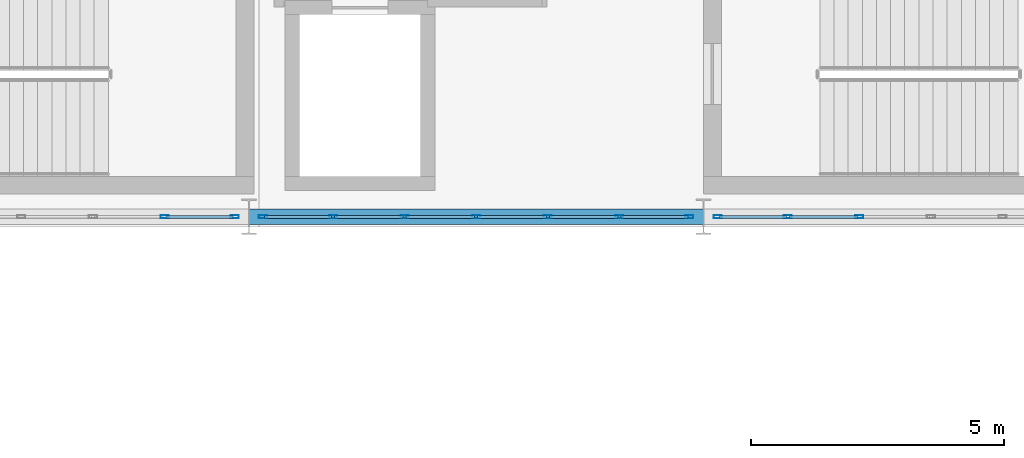
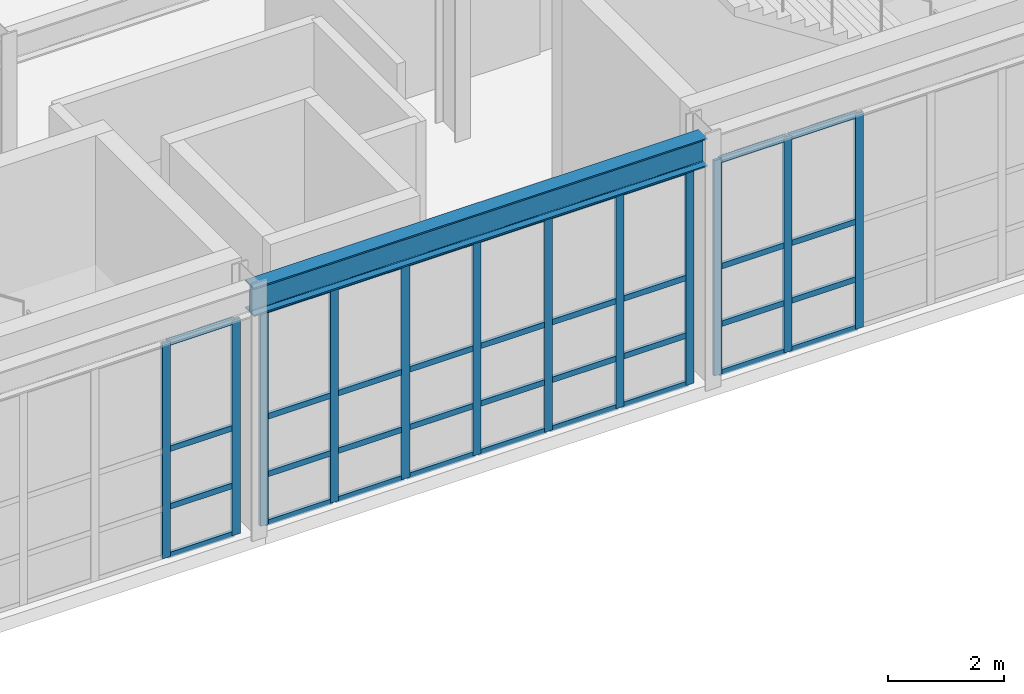
# One storey, part 58 of 210: 48 members, 1 beam, 3 elements without a shape of their own.
"""IFC4 building model written with IfcOpenShell, lengths in metres."""

from ifc_helpers import new_model, si_unit, direction, frame, origin, origin_2d, place, context, subcontext, project, spatial, hollow_rectangle, i_section, extrude, material, material_profile, profile_set, type_object, element, aggregate, save


model = new_model("IFC4")

# Units and contexts
model_context = context("Model", 3, precision=1e-05, world=origin(), true_north=direction((0.0, 1.0)))
body_context = subcontext(model_context, "Body", "Model", "MODEL_VIEW")
ifc_project = project(units=[si_unit("LENGTHUNIT", "METRE"), si_unit("AREAUNIT", "SQUARE_METRE"), si_unit("VOLUMEUNIT", "CUBIC_METRE"), si_unit("PLANEANGLEUNIT", "RADIAN"), si_unit("MASSUNIT", "GRAM", prefix="KILO")], contexts=[model_context])

# Site, building, storey
site_placement = place(None, origin())
site = spatial("IfcSite", under=ifc_project, at=site_placement, CompositionType="ELEMENT")
building_placement = place(site_placement, origin())
building = spatial("IfcBuilding", under=site, at=building_placement, Name="Kaldris Quays Convention Centre", CompositionType="ELEMENT")
storey_placement = place(building_placement, frame((0.0, 0.0, 6.0)))
storey = spatial("IfcBuildingStorey", under=building, at=storey_placement, Name="L01", CompositionType="ELEMENT", Elevation=6.0)

# Curtain wall, members
ifc_material_1 = material(Name="Anodized aluminium AW-6060 and triple glazing", Category="aluminium")
curtain_wall_type = type_object("IfcCurtainWallType", Name="UNITISED CURTAIN WALL CW04", PredefinedType="NOTDEFINED", material=ifc_material_1)
curtain_wall_1_placement = place(storey_placement, origin())
curtain_wall_1 = element("IfcCurtainWall", 1, at=curtain_wall_1_placement, inside=storey, type_object=curtain_wall_type, Name="L01 Unitised Curtain Wall CW04 108", PredefinedType="NOTDEFINED")
ifc_material_2 = material(Name="Anodized aluminium AW-6060", Category="aluminium")
ifc_material_profile_1 = material_profile(ifc_material_2, hollow_rectangle(XDim=0.06005859375, YDim=0.159912109375, WallThickness=0.00390625, at=origin_2d()), Name="RHS 160x60x4")
ifc_profile_set_1 = profile_set([ifc_material_profile_1], Name="Anodized aluminium AW-6060")
member_type_1 = type_object("IfcMemberType", Name="CURTAIN MULLION CWM1", PredefinedType="MULLION", material=ifc_profile_set_1)
member_1_placement = place(storey_placement, frame((99.333251953125, 38.0, 0.0), z_axis=(0.0, 0.0, 1.0), x_axis=(0.0, 1.0, 0.0)))
member_1 = element("IfcMember", 2, at=member_1_placement, type_object=member_type_1, Name="CW04 mullion 6", PredefinedType="MULLION", context=body_context, shape_type="SweptSolid", body=[
    extrude(hollow_rectangle(XDim=0.06005859375, YDim=0.159912109375, WallThickness=0.00390625, at=origin_2d()), origin(), (0.0, 0.0, 1.0), 4.51806640625),
])
member_2_placement = place(storey_placement, frame((100.719970703125, 38.0, 0.0), z_axis=(0.0, 0.0, 1.0), x_axis=(0.0, 1.0, 0.0)))
member_2 = element("IfcMember", 3, at=member_2_placement, type_object=member_type_1, Name="CW04 mullion 7", PredefinedType="MULLION", context=body_context, shape_type="SweptSolid", body=[
    extrude(hollow_rectangle(XDim=0.06005859375, YDim=0.159912109375, WallThickness=0.00390625, at=origin_2d()), origin(), (0.0, 0.0, 1.0), 4.51806640625),
])

curtain_wall_2_placement = place(storey_placement, origin())
curtain_wall_2 = element("IfcCurtainWall", 4, at=curtain_wall_2_placement, inside=storey, type_object=curtain_wall_type, Name="L01 Unitised Curtain Wall CW04 109", PredefinedType="NOTDEFINED")
member_3_placement = place(storey_placement, frame((101.280029296875, 38.0, 0.0), z_axis=(0.0, 0.0, 1.0), x_axis=(0.0, 1.0, 0.0)))
member_3 = element("IfcMember", 5, at=member_3_placement, type_object=member_type_1, Name="CW04 mullion 1", PredefinedType="MULLION", context=body_context, shape_type="SweptSolid", body=[
    extrude(hollow_rectangle(XDim=0.06005859375, YDim=0.159912109375, WallThickness=0.00390625, at=origin_2d()), origin(), (0.0, 0.0, 1.0), 4.51806640625),
])
member_4_placement = place(storey_placement, frame((102.666748046875, 38.0, 0.0), z_axis=(0.0, 0.0, 1.0), x_axis=(0.0, 1.0, 0.0)))
member_4 = element("IfcMember", 6, at=member_4_placement, type_object=member_type_1, Name="CW04 mullion 2", PredefinedType="MULLION", context=body_context, shape_type="SweptSolid", body=[
    extrude(hollow_rectangle(XDim=0.06005859375, YDim=0.159912109375, WallThickness=0.00390625, at=origin_2d()), origin(), (0.0, 0.0, 1.0), 4.51806640625),
])
member_5_placement = place(storey_placement, frame((104.083251953125, 38.0, 0.0), z_axis=(0.0, 0.0, 1.0), x_axis=(0.0, 1.0, 0.0)))
member_5 = element("IfcMember", 7, at=member_5_placement, type_object=member_type_1, Name="CW04 mullion 3", PredefinedType="MULLION", context=body_context, shape_type="SweptSolid", body=[
    extrude(hollow_rectangle(XDim=0.06005859375, YDim=0.159912109375, WallThickness=0.00390625, at=origin_2d()), origin(), (0.0, 0.0, 1.0), 4.51806640625),
])
member_6_placement = place(storey_placement, frame((105.5, 38.0, 0.0), z_axis=(0.0, 0.0, 1.0), x_axis=(0.0, 1.0, 0.0)))
member_6 = element("IfcMember", 8, at=member_6_placement, type_object=member_type_1, Name="CW04 mullion 4", PredefinedType="MULLION", context=body_context, shape_type="SweptSolid", body=[
    extrude(hollow_rectangle(XDim=0.06005859375, YDim=0.159912109375, WallThickness=0.00390625, at=origin_2d()), origin(), (0.0, 0.0, 1.0), 4.51806640625),
])
member_7_placement = place(storey_placement, frame((106.916748046875, 38.0, 0.0), z_axis=(0.0, 0.0, 1.0), x_axis=(0.0, 1.0, 0.0)))
member_7 = element("IfcMember", 9, at=member_7_placement, type_object=member_type_1, Name="CW04 mullion 5", PredefinedType="MULLION", context=body_context, shape_type="SweptSolid", body=[
    extrude(hollow_rectangle(XDim=0.06005859375, YDim=0.159912109375, WallThickness=0.00390625, at=origin_2d()), origin(), (0.0, 0.0, 1.0), 4.51806640625),
])
member_8_placement = place(storey_placement, frame((108.333251953125, 38.0, 0.0), z_axis=(0.0, 0.0, 1.0), x_axis=(0.0, 1.0, 0.0)))
member_8 = element("IfcMember", 10, at=member_8_placement, type_object=member_type_1, Name="CW04 mullion 6", PredefinedType="MULLION", context=body_context, shape_type="SweptSolid", body=[
    extrude(hollow_rectangle(XDim=0.06005859375, YDim=0.159912109375, WallThickness=0.00390625, at=origin_2d()), origin(), (0.0, 0.0, 1.0), 4.51806640625),
])
member_9_placement = place(storey_placement, frame((109.719970703125, 38.0, 0.0), z_axis=(0.0, 0.0, 1.0), x_axis=(0.0, 1.0, 0.0)))
member_9 = element("IfcMember", 11, at=member_9_placement, type_object=member_type_1, Name="CW04 mullion 7", PredefinedType="MULLION", context=body_context, shape_type="SweptSolid", body=[
    extrude(hollow_rectangle(XDim=0.06005859375, YDim=0.159912109375, WallThickness=0.00390625, at=origin_2d()), origin(), (0.0, 0.0, 1.0), 4.51806640625),
])

curtain_wall_3_placement = place(storey_placement, origin())
curtain_wall_3 = element("IfcCurtainWall", 12, at=curtain_wall_3_placement, inside=storey, type_object=curtain_wall_type, Name="L01 Unitised Curtain Wall CW04 110", PredefinedType="NOTDEFINED")
member_10_placement = place(storey_placement, frame((110.280029296875, 38.0, 0.0), z_axis=(0.0, 0.0, 1.0), x_axis=(0.0, 1.0, 0.0)))
member_10 = element("IfcMember", 13, at=member_10_placement, type_object=member_type_1, Name="CW04 mullion 1", PredefinedType="MULLION", context=body_context, shape_type="SweptSolid", body=[
    extrude(hollow_rectangle(XDim=0.06005859375, YDim=0.159912109375, WallThickness=0.00390625, at=origin_2d()), origin(), (0.0, 0.0, 1.0), 4.51806640625),
])
member_11_placement = place(storey_placement, frame((111.666748046875, 38.0, 0.0), z_axis=(0.0, 0.0, 1.0), x_axis=(0.0, 1.0, 0.0)))
member_11 = element("IfcMember", 14, at=member_11_placement, type_object=member_type_1, Name="CW04 mullion 2", PredefinedType="MULLION", context=body_context, shape_type="SweptSolid", body=[
    extrude(hollow_rectangle(XDim=0.06005859375, YDim=0.159912109375, WallThickness=0.00390625, at=origin_2d()), origin(), (0.0, 0.0, 1.0), 4.51806640625),
])
member_12_placement = place(storey_placement, frame((113.083251953125, 38.0, 0.0), z_axis=(0.0, 0.0, 1.0), x_axis=(0.0, 1.0, 0.0)))
member_12 = element("IfcMember", 15, at=member_12_placement, type_object=member_type_1, Name="CW04 mullion 3", PredefinedType="MULLION", context=body_context, shape_type="SweptSolid", body=[
    extrude(hollow_rectangle(XDim=0.06005859375, YDim=0.159912109375, WallThickness=0.00390625, at=origin_2d()), origin(), (0.0, 0.0, 1.0), 4.51806640625),
])

# Member
ifc_material_profile_2 = material_profile(ifc_material_2, hollow_rectangle(XDim=0.06005859375, YDim=0.1201171875, WallThickness=0.00390625, at=origin_2d()), Name="RHS 120x60x4")
ifc_profile_set_2 = profile_set([ifc_material_profile_2], Name="Anodized aluminium AW-6060")
member_type_2 = type_object("IfcMemberType", Name="CURTAIN TRANSOM CWT1", PredefinedType="USERDEFINED", material=ifc_profile_set_2)
member_13_placement = place(storey_placement, frame((99.36328125, 38.0, 0.030029296875), z_axis=(1.0, 0.0, 0.0), x_axis=(0.0, 1.0, 0.0)))
member_13 = element("IfcMember", 16, at=member_13_placement, type_object=member_type_2, Name="CW04 transom 6.1", ObjectType="TRANSOM", PredefinedType="USERDEFINED", context=body_context, shape_type="SweptSolid", body=[
    extrude(hollow_rectangle(XDim=0.06005859375, YDim=0.1201171875, WallThickness=0.00390625, at=origin_2d()), origin(), (0.0, 0.0, 1.0), 1.32666015625),
])

member_14_placement = place(storey_placement, frame((99.36328125, 38.0, 1.050048828125), z_axis=(1.0, 0.0, 0.0), x_axis=(0.0, 1.0, 0.0)))
member_14 = element("IfcMember", 17, at=member_14_placement, type_object=member_type_2, Name="CW04 transom 6.2", ObjectType="TRANSOM", PredefinedType="USERDEFINED", context=body_context, shape_type="SweptSolid", body=[
    extrude(hollow_rectangle(XDim=0.06005859375, YDim=0.1201171875, WallThickness=0.00390625, at=origin_2d()), origin(), (0.0, 0.0, 1.0), 1.32666015625),
])

member_15_placement = place(storey_placement, frame((99.36328125, 38.0, 2.259033203125), z_axis=(1.0, 0.0, 0.0), x_axis=(0.0, 1.0, 0.0)))
member_15 = element("IfcMember", 18, at=member_15_placement, type_object=member_type_2, Name="CW04 transom 6.3", ObjectType="TRANSOM", PredefinedType="USERDEFINED", context=body_context, shape_type="SweptSolid", body=[
    extrude(hollow_rectangle(XDim=0.06005859375, YDim=0.1201171875, WallThickness=0.00390625, at=origin_2d()), origin(), (0.0, 0.0, 1.0), 1.32666015625),
])

member_16_placement = place(storey_placement, frame((99.36328125, 38.0, 4.488037109375), z_axis=(1.0, 0.0, 0.0), x_axis=(0.0, 1.0, 0.0)))
member_16 = element("IfcMember", 19, at=member_16_placement, type_object=member_type_2, Name="CW04 transom 6.4", ObjectType="TRANSOM", PredefinedType="USERDEFINED", context=body_context, shape_type="SweptSolid", body=[
    extrude(hollow_rectangle(XDim=0.06005859375, YDim=0.1201171875, WallThickness=0.00390625, at=origin_2d()), origin(), (0.0, 0.0, 1.0), 1.32666015625),
])

aggregate(curtain_wall_1, [member_1, member_2, member_13, member_14, member_15, member_16])

member_17_placement = place(storey_placement, frame((101.31005859375, 38.0, 0.030029296875), z_axis=(1.0, 0.0, 0.0), x_axis=(0.0, 1.0, 0.0)))
member_17 = element("IfcMember", 20, at=member_17_placement, type_object=member_type_2, Name="CW04 transom 1.1", ObjectType="TRANSOM", PredefinedType="USERDEFINED", context=body_context, shape_type="SweptSolid", body=[
    extrude(hollow_rectangle(XDim=0.06005859375, YDim=0.1201171875, WallThickness=0.00390625, at=origin_2d()), origin(), (0.0, 0.0, 1.0), 1.32666015625),
])

member_18_placement = place(storey_placement, frame((101.31005859375, 38.0, 1.050048828125), z_axis=(1.0, 0.0, 0.0), x_axis=(0.0, 1.0, 0.0)))
member_18 = element("IfcMember", 21, at=member_18_placement, type_object=member_type_2, Name="CW04 transom 1.2", ObjectType="TRANSOM", PredefinedType="USERDEFINED", context=body_context, shape_type="SweptSolid", body=[
    extrude(hollow_rectangle(XDim=0.06005859375, YDim=0.1201171875, WallThickness=0.00390625, at=origin_2d()), origin(), (0.0, 0.0, 1.0), 1.32666015625),
])

member_19_placement = place(storey_placement, frame((101.31005859375, 38.0, 2.259033203125), z_axis=(1.0, 0.0, 0.0), x_axis=(0.0, 1.0, 0.0)))
member_19 = element("IfcMember", 22, at=member_19_placement, type_object=member_type_2, Name="CW04 transom 1.3", ObjectType="TRANSOM", PredefinedType="USERDEFINED", context=body_context, shape_type="SweptSolid", body=[
    extrude(hollow_rectangle(XDim=0.06005859375, YDim=0.1201171875, WallThickness=0.00390625, at=origin_2d()), origin(), (0.0, 0.0, 1.0), 1.32666015625),
])

member_20_placement = place(storey_placement, frame((101.31005859375, 38.0, 4.488037109375), z_axis=(1.0, 0.0, 0.0), x_axis=(0.0, 1.0, 0.0)))
member_20 = element("IfcMember", 23, at=member_20_placement, type_object=member_type_2, Name="CW04 transom 1.4", ObjectType="TRANSOM", PredefinedType="USERDEFINED", context=body_context, shape_type="SweptSolid", body=[
    extrude(hollow_rectangle(XDim=0.06005859375, YDim=0.1201171875, WallThickness=0.00390625, at=origin_2d()), origin(), (0.0, 0.0, 1.0), 1.32666015625),
])

member_21_placement = place(storey_placement, frame((102.69677734375, 38.0, 0.030029296875), z_axis=(1.0, 0.0, 0.0), x_axis=(0.0, 1.0, 0.0)))
member_21 = element("IfcMember", 24, at=member_21_placement, type_object=member_type_2, Name="CW04 transom 2.1", ObjectType="TRANSOM", PredefinedType="USERDEFINED", context=body_context, shape_type="SweptSolid", body=[
    extrude(hollow_rectangle(XDim=0.06005859375, YDim=0.1201171875, WallThickness=0.00390625, at=origin_2d()), origin(), (0.0, 0.0, 1.0), 1.3564453125),
])

member_22_placement = place(storey_placement, frame((102.69677734375, 38.0, 1.050048828125), z_axis=(1.0, 0.0, 0.0), x_axis=(0.0, 1.0, 0.0)))
member_22 = element("IfcMember", 25, at=member_22_placement, type_object=member_type_2, Name="CW04 transom 2.2", ObjectType="TRANSOM", PredefinedType="USERDEFINED", context=body_context, shape_type="SweptSolid", body=[
    extrude(hollow_rectangle(XDim=0.06005859375, YDim=0.1201171875, WallThickness=0.00390625, at=origin_2d()), origin(), (0.0, 0.0, 1.0), 1.3564453125),
])

member_23_placement = place(storey_placement, frame((102.69677734375, 38.0, 2.259033203125), z_axis=(1.0, 0.0, 0.0), x_axis=(0.0, 1.0, 0.0)))
member_23 = element("IfcMember", 26, at=member_23_placement, type_object=member_type_2, Name="CW04 transom 2.3", ObjectType="TRANSOM", PredefinedType="USERDEFINED", context=body_context, shape_type="SweptSolid", body=[
    extrude(hollow_rectangle(XDim=0.06005859375, YDim=0.1201171875, WallThickness=0.00390625, at=origin_2d()), origin(), (0.0, 0.0, 1.0), 1.3564453125),
])

member_24_placement = place(storey_placement, frame((102.69677734375, 38.0, 4.488037109375), z_axis=(1.0, 0.0, 0.0), x_axis=(0.0, 1.0, 0.0)))
member_24 = element("IfcMember", 27, at=member_24_placement, type_object=member_type_2, Name="CW04 transom 2.4", ObjectType="TRANSOM", PredefinedType="USERDEFINED", context=body_context, shape_type="SweptSolid", body=[
    extrude(hollow_rectangle(XDim=0.06005859375, YDim=0.1201171875, WallThickness=0.00390625, at=origin_2d()), origin(), (0.0, 0.0, 1.0), 1.3564453125),
])

member_25_placement = place(storey_placement, frame((104.11328125, 38.0, 0.030029296875), z_axis=(1.0, 0.0, 0.0), x_axis=(0.0, 1.0, 0.0)))
member_25 = element("IfcMember", 28, at=member_25_placement, type_object=member_type_2, Name="CW04 transom 3.1", ObjectType="TRANSOM", PredefinedType="USERDEFINED", context=body_context, shape_type="SweptSolid", body=[
    extrude(hollow_rectangle(XDim=0.06005859375, YDim=0.1201171875, WallThickness=0.00390625, at=origin_2d()), origin(), (0.0, 0.0, 1.0), 1.356689453125),
])

member_26_placement = place(storey_placement, frame((104.11328125, 38.0, 1.050048828125), z_axis=(1.0, 0.0, 0.0), x_axis=(0.0, 1.0, 0.0)))
member_26 = element("IfcMember", 29, at=member_26_placement, type_object=member_type_2, Name="CW04 transom 3.2", ObjectType="TRANSOM", PredefinedType="USERDEFINED", context=body_context, shape_type="SweptSolid", body=[
    extrude(hollow_rectangle(XDim=0.06005859375, YDim=0.1201171875, WallThickness=0.00390625, at=origin_2d()), origin(), (0.0, 0.0, 1.0), 1.356689453125),
])

member_27_placement = place(storey_placement, frame((104.11328125, 38.0, 2.259033203125), z_axis=(1.0, 0.0, 0.0), x_axis=(0.0, 1.0, 0.0)))
member_27 = element("IfcMember", 30, at=member_27_placement, type_object=member_type_2, Name="CW04 transom 3.3", ObjectType="TRANSOM", PredefinedType="USERDEFINED", context=body_context, shape_type="SweptSolid", body=[
    extrude(hollow_rectangle(XDim=0.06005859375, YDim=0.1201171875, WallThickness=0.00390625, at=origin_2d()), origin(), (0.0, 0.0, 1.0), 1.356689453125),
])

member_28_placement = place(storey_placement, frame((104.11328125, 38.0, 4.488037109375), z_axis=(1.0, 0.0, 0.0), x_axis=(0.0, 1.0, 0.0)))
member_28 = element("IfcMember", 31, at=member_28_placement, type_object=member_type_2, Name="CW04 transom 3.4", ObjectType="TRANSOM", PredefinedType="USERDEFINED", context=body_context, shape_type="SweptSolid", body=[
    extrude(hollow_rectangle(XDim=0.06005859375, YDim=0.1201171875, WallThickness=0.00390625, at=origin_2d()), origin(), (0.0, 0.0, 1.0), 1.356689453125),
])

member_29_placement = place(storey_placement, frame((105.530029296875, 38.0, 0.030029296875), z_axis=(1.0, 0.0, 0.0), x_axis=(0.0, 1.0, 0.0)))
member_29 = element("IfcMember", 32, at=member_29_placement, type_object=member_type_2, Name="CW04 transom 4.1", ObjectType="TRANSOM", PredefinedType="USERDEFINED", context=body_context, shape_type="SweptSolid", body=[
    extrude(hollow_rectangle(XDim=0.06005859375, YDim=0.1201171875, WallThickness=0.00390625, at=origin_2d()), origin(), (0.0, 0.0, 1.0), 1.356689453125),
])

member_30_placement = place(storey_placement, frame((105.530029296875, 38.0, 1.050048828125), z_axis=(1.0, 0.0, 0.0), x_axis=(0.0, 1.0, 0.0)))
member_30 = element("IfcMember", 33, at=member_30_placement, type_object=member_type_2, Name="CW04 transom 4.2", ObjectType="TRANSOM", PredefinedType="USERDEFINED", context=body_context, shape_type="SweptSolid", body=[
    extrude(hollow_rectangle(XDim=0.06005859375, YDim=0.1201171875, WallThickness=0.00390625, at=origin_2d()), origin(), (0.0, 0.0, 1.0), 1.356689453125),
])

member_31_placement = place(storey_placement, frame((105.530029296875, 38.0, 2.259033203125), z_axis=(1.0, 0.0, 0.0), x_axis=(0.0, 1.0, 0.0)))
member_31 = element("IfcMember", 34, at=member_31_placement, type_object=member_type_2, Name="CW04 transom 4.3", ObjectType="TRANSOM", PredefinedType="USERDEFINED", context=body_context, shape_type="SweptSolid", body=[
    extrude(hollow_rectangle(XDim=0.06005859375, YDim=0.1201171875, WallThickness=0.00390625, at=origin_2d()), origin(), (0.0, 0.0, 1.0), 1.356689453125),
])

member_32_placement = place(storey_placement, frame((105.530029296875, 38.0, 4.488037109375), z_axis=(1.0, 0.0, 0.0), x_axis=(0.0, 1.0, 0.0)))
member_32 = element("IfcMember", 35, at=member_32_placement, type_object=member_type_2, Name="CW04 transom 4.4", ObjectType="TRANSOM", PredefinedType="USERDEFINED", context=body_context, shape_type="SweptSolid", body=[
    extrude(hollow_rectangle(XDim=0.06005859375, YDim=0.1201171875, WallThickness=0.00390625, at=origin_2d()), origin(), (0.0, 0.0, 1.0), 1.356689453125),
])

member_33_placement = place(storey_placement, frame((106.94677734375, 38.0, 0.030029296875), z_axis=(1.0, 0.0, 0.0), x_axis=(0.0, 1.0, 0.0)))
member_33 = element("IfcMember", 36, at=member_33_placement, type_object=member_type_2, Name="CW04 transom 5.1", ObjectType="TRANSOM", PredefinedType="USERDEFINED", context=body_context, shape_type="SweptSolid", body=[
    extrude(hollow_rectangle(XDim=0.06005859375, YDim=0.1201171875, WallThickness=0.00390625, at=origin_2d()), origin(), (0.0, 0.0, 1.0), 1.3564453125),
])

member_34_placement = place(storey_placement, frame((106.94677734375, 38.0, 1.050048828125), z_axis=(1.0, 0.0, 0.0), x_axis=(0.0, 1.0, 0.0)))
member_34 = element("IfcMember", 37, at=member_34_placement, type_object=member_type_2, Name="CW04 transom 5.2", ObjectType="TRANSOM", PredefinedType="USERDEFINED", context=body_context, shape_type="SweptSolid", body=[
    extrude(hollow_rectangle(XDim=0.06005859375, YDim=0.1201171875, WallThickness=0.00390625, at=origin_2d()), origin(), (0.0, 0.0, 1.0), 1.3564453125),
])

member_35_placement = place(storey_placement, frame((106.94677734375, 38.0, 2.259033203125), z_axis=(1.0, 0.0, 0.0), x_axis=(0.0, 1.0, 0.0)))
member_35 = element("IfcMember", 38, at=member_35_placement, type_object=member_type_2, Name="CW04 transom 5.3", ObjectType="TRANSOM", PredefinedType="USERDEFINED", context=body_context, shape_type="SweptSolid", body=[
    extrude(hollow_rectangle(XDim=0.06005859375, YDim=0.1201171875, WallThickness=0.00390625, at=origin_2d()), origin(), (0.0, 0.0, 1.0), 1.3564453125),
])

member_36_placement = place(storey_placement, frame((106.94677734375, 38.0, 4.488037109375), z_axis=(1.0, 0.0, 0.0), x_axis=(0.0, 1.0, 0.0)))
member_36 = element("IfcMember", 39, at=member_36_placement, type_object=member_type_2, Name="CW04 transom 5.4", ObjectType="TRANSOM", PredefinedType="USERDEFINED", context=body_context, shape_type="SweptSolid", body=[
    extrude(hollow_rectangle(XDim=0.06005859375, YDim=0.1201171875, WallThickness=0.00390625, at=origin_2d()), origin(), (0.0, 0.0, 1.0), 1.3564453125),
])

member_37_placement = place(storey_placement, frame((108.36328125, 38.0, 0.030029296875), z_axis=(1.0, 0.0, 0.0), x_axis=(0.0, 1.0, 0.0)))
member_37 = element("IfcMember", 40, at=member_37_placement, type_object=member_type_2, Name="CW04 transom 6.1", ObjectType="TRANSOM", PredefinedType="USERDEFINED", context=body_context, shape_type="SweptSolid", body=[
    extrude(hollow_rectangle(XDim=0.06005859375, YDim=0.1201171875, WallThickness=0.00390625, at=origin_2d()), origin(), (0.0, 0.0, 1.0), 1.32666015625),
])

member_38_placement = place(storey_placement, frame((108.36328125, 38.0, 1.050048828125), z_axis=(1.0, 0.0, 0.0), x_axis=(0.0, 1.0, 0.0)))
member_38 = element("IfcMember", 41, at=member_38_placement, type_object=member_type_2, Name="CW04 transom 6.2", ObjectType="TRANSOM", PredefinedType="USERDEFINED", context=body_context, shape_type="SweptSolid", body=[
    extrude(hollow_rectangle(XDim=0.06005859375, YDim=0.1201171875, WallThickness=0.00390625, at=origin_2d()), origin(), (0.0, 0.0, 1.0), 1.32666015625),
])

member_39_placement = place(storey_placement, frame((108.36328125, 38.0, 2.259033203125), z_axis=(1.0, 0.0, 0.0), x_axis=(0.0, 1.0, 0.0)))
member_39 = element("IfcMember", 42, at=member_39_placement, type_object=member_type_2, Name="CW04 transom 6.3", ObjectType="TRANSOM", PredefinedType="USERDEFINED", context=body_context, shape_type="SweptSolid", body=[
    extrude(hollow_rectangle(XDim=0.06005859375, YDim=0.1201171875, WallThickness=0.00390625, at=origin_2d()), origin(), (0.0, 0.0, 1.0), 1.32666015625),
])

member_40_placement = place(storey_placement, frame((108.36328125, 38.0, 4.488037109375), z_axis=(1.0, 0.0, 0.0), x_axis=(0.0, 1.0, 0.0)))
member_40 = element("IfcMember", 43, at=member_40_placement, type_object=member_type_2, Name="CW04 transom 6.4", ObjectType="TRANSOM", PredefinedType="USERDEFINED", context=body_context, shape_type="SweptSolid", body=[
    extrude(hollow_rectangle(XDim=0.06005859375, YDim=0.1201171875, WallThickness=0.00390625, at=origin_2d()), origin(), (0.0, 0.0, 1.0), 1.32666015625),
])

aggregate(curtain_wall_2, [member_3, member_4, member_5, member_6, member_7, member_8, member_9, member_17, member_18, member_19, member_20, member_21, member_22, member_23, member_24, member_25, member_26, member_27, member_28, member_29, member_30, member_31, member_32, member_33, member_34, member_35, member_36, member_37, member_38, member_39, member_40])

member_41_placement = place(storey_placement, frame((110.31005859375, 38.0, 0.030029296875), z_axis=(1.0, 0.0, 0.0), x_axis=(0.0, 1.0, 0.0)))
member_41 = element("IfcMember", 44, at=member_41_placement, type_object=member_type_2, Name="CW04 transom 1.1", ObjectType="TRANSOM", PredefinedType="USERDEFINED", context=body_context, shape_type="SweptSolid", body=[
    extrude(hollow_rectangle(XDim=0.06005859375, YDim=0.1201171875, WallThickness=0.00390625, at=origin_2d()), origin(), (0.0, 0.0, 1.0), 1.32666015625),
])

member_42_placement = place(storey_placement, frame((110.31005859375, 38.0, 1.050048828125), z_axis=(1.0, 0.0, 0.0), x_axis=(0.0, 1.0, 0.0)))
member_42 = element("IfcMember", 45, at=member_42_placement, type_object=member_type_2, Name="CW04 transom 1.2", ObjectType="TRANSOM", PredefinedType="USERDEFINED", context=body_context, shape_type="SweptSolid", body=[
    extrude(hollow_rectangle(XDim=0.06005859375, YDim=0.1201171875, WallThickness=0.00390625, at=origin_2d()), origin(), (0.0, 0.0, 1.0), 1.32666015625),
])

member_43_placement = place(storey_placement, frame((110.31005859375, 38.0, 2.259033203125), z_axis=(1.0, 0.0, 0.0), x_axis=(0.0, 1.0, 0.0)))
member_43 = element("IfcMember", 46, at=member_43_placement, type_object=member_type_2, Name="CW04 transom 1.3", ObjectType="TRANSOM", PredefinedType="USERDEFINED", context=body_context, shape_type="SweptSolid", body=[
    extrude(hollow_rectangle(XDim=0.06005859375, YDim=0.1201171875, WallThickness=0.00390625, at=origin_2d()), origin(), (0.0, 0.0, 1.0), 1.32666015625),
])

member_44_placement = place(storey_placement, frame((110.31005859375, 38.0, 4.488037109375), z_axis=(1.0, 0.0, 0.0), x_axis=(0.0, 1.0, 0.0)))
member_44 = element("IfcMember", 47, at=member_44_placement, type_object=member_type_2, Name="CW04 transom 1.4", ObjectType="TRANSOM", PredefinedType="USERDEFINED", context=body_context, shape_type="SweptSolid", body=[
    extrude(hollow_rectangle(XDim=0.06005859375, YDim=0.1201171875, WallThickness=0.00390625, at=origin_2d()), origin(), (0.0, 0.0, 1.0), 1.32666015625),
])

member_45_placement = place(storey_placement, frame((111.69677734375, 38.0, 0.030029296875), z_axis=(1.0, 0.0, 0.0), x_axis=(0.0, 1.0, 0.0)))
member_45 = element("IfcMember", 48, at=member_45_placement, type_object=member_type_2, Name="CW04 transom 2.1", ObjectType="TRANSOM", PredefinedType="USERDEFINED", context=body_context, shape_type="SweptSolid", body=[
    extrude(hollow_rectangle(XDim=0.06005859375, YDim=0.1201171875, WallThickness=0.00390625, at=origin_2d()), origin(), (0.0, 0.0, 1.0), 1.3564453125),
])

member_46_placement = place(storey_placement, frame((111.69677734375, 38.0, 1.050048828125), z_axis=(1.0, 0.0, 0.0), x_axis=(0.0, 1.0, 0.0)))
member_46 = element("IfcMember", 49, at=member_46_placement, type_object=member_type_2, Name="CW04 transom 2.2", ObjectType="TRANSOM", PredefinedType="USERDEFINED", context=body_context, shape_type="SweptSolid", body=[
    extrude(hollow_rectangle(XDim=0.06005859375, YDim=0.1201171875, WallThickness=0.00390625, at=origin_2d()), origin(), (0.0, 0.0, 1.0), 1.3564453125),
])

member_47_placement = place(storey_placement, frame((111.69677734375, 38.0, 2.259033203125), z_axis=(1.0, 0.0, 0.0), x_axis=(0.0, 1.0, 0.0)))
member_47 = element("IfcMember", 50, at=member_47_placement, type_object=member_type_2, Name="CW04 transom 2.3", ObjectType="TRANSOM", PredefinedType="USERDEFINED", context=body_context, shape_type="SweptSolid", body=[
    extrude(hollow_rectangle(XDim=0.06005859375, YDim=0.1201171875, WallThickness=0.00390625, at=origin_2d()), origin(), (0.0, 0.0, 1.0), 1.3564453125),
])

member_48_placement = place(storey_placement, frame((111.69677734375, 38.0, 4.488037109375), z_axis=(1.0, 0.0, 0.0), x_axis=(0.0, 1.0, 0.0)))
member_48 = element("IfcMember", 51, at=member_48_placement, type_object=member_type_2, Name="CW04 transom 2.4", ObjectType="TRANSOM", PredefinedType="USERDEFINED", context=body_context, shape_type="SweptSolid", body=[
    extrude(hollow_rectangle(XDim=0.06005859375, YDim=0.1201171875, WallThickness=0.00390625, at=origin_2d()), origin(), (0.0, 0.0, 1.0), 1.3564453125),
])

aggregate(curtain_wall_3, [member_10, member_11, member_12, member_41, member_42, member_43, member_44, member_45, member_46, member_47, member_48])

# Beam
ifc_material_3 = material(Name="Steel S355J2", Category="steel")
ifc_material_profile_3 = material_profile(ifc_material_3, i_section(OverallWidth=0.300048828125, OverallDepth=0.60009765625, WebThickness=0.015380859375, FlangeThickness=0.030029296875, FilletRadius=0.027099609375, at=origin_2d()), Name="HEB 600")
ifc_profile_set_3 = profile_set([ifc_material_profile_3], Name="Steel S355J2")
beam_type = type_object("IfcBeamType", Name="STRUCTURAL BEAM BM05", PredefinedType="BEAM", material=ifc_profile_set_3)
beam_placement = place(storey_placement, frame((101.00244140625, 38.0, 4.843017578125), z_axis=(1.0, 0.0, 0.0), x_axis=(0.0, 1.0, 0.0)))
element("IfcBeam", 52, at=beam_placement, inside=storey, type_object=beam_type, Name="L01 Girder BM05 3", PredefinedType="BEAM", context=body_context, shape_type="SweptSolid", body=[
    extrude(i_section(OverallWidth=0.300048828125, OverallDepth=0.60009765625, WebThickness=0.015380859375, FlangeThickness=0.030029296875, FilletRadius=0.027099609375, at=origin_2d()), origin(), (0.0, 0.0, 1.0), 8.9951171875),
])

save(model, "model.ifc")
